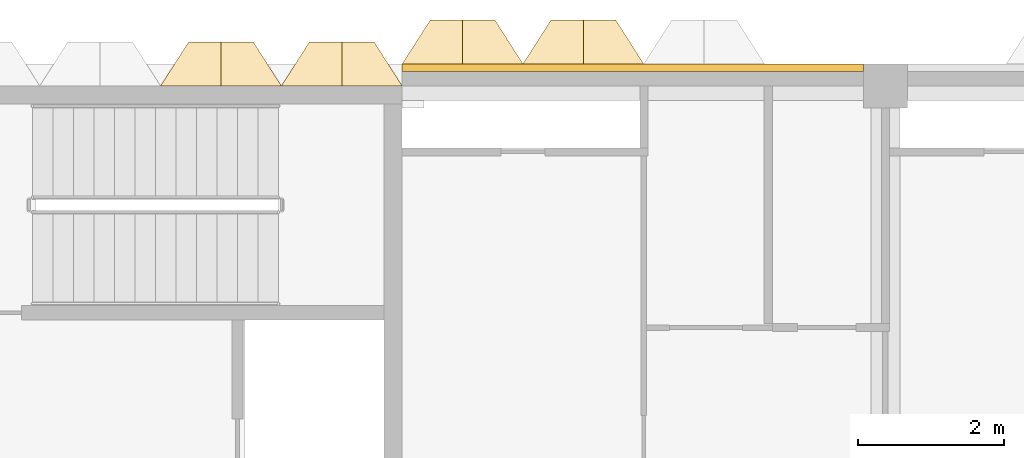
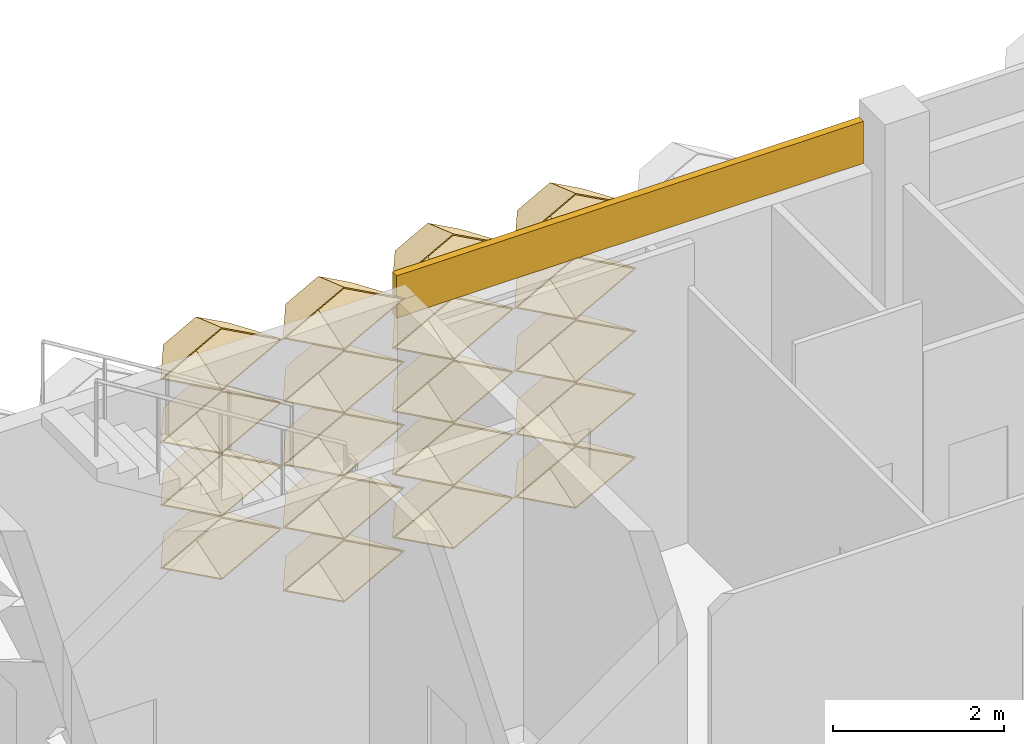
# One storey, part 92 of 102: 20 coverings.
"""IFC4 building model written with IfcOpenShell, lengths in metres."""

from ifc_helpers import new_model, entity, si_unit, direction, frame, frame_2d, origin, place, context, subcontext, project, spatial, rectangle, extrude, material, layer, layer_set, type_object, element, save


model = new_model("IFC4")

# Units and contexts
model_context = context("Model", 3, precision=1e-05, world=origin(), true_north=direction((0.0, 1.0)))
body_context = subcontext(model_context, "Body", "Model", "MODEL_VIEW")
ifc_project = project(units=[si_unit("LENGTHUNIT", "METRE"), si_unit("AREAUNIT", "SQUARE_METRE"), si_unit("VOLUMEUNIT", "CUBIC_METRE"), si_unit("PLANEANGLEUNIT", "RADIAN"), si_unit("MASSUNIT", "GRAM", prefix="KILO")], contexts=[model_context])

# Site, building, storey
site_placement = place(None, origin())
site = spatial("IfcSite", under=ifc_project, at=site_placement, CompositionType="ELEMENT")
building_placement = place(site_placement, origin())
building = spatial("IfcBuilding", under=site, at=building_placement, Name="Lantern Court Research Institute", CompositionType="ELEMENT")
storey_placement = place(building_placement, frame((0.0, 0.0, 9.89990234375)))
storey = spatial("IfcBuildingStorey", under=building, at=storey_placement, Name="L02", CompositionType="ELEMENT", Elevation=9.89990234375)

# Coverings
ifc_material_1 = material(Name="Aluminium composite panel with mineral wool insulation", Category="aluminium")
ifc_layer_1 = layer(ifc_material_1, 0.10009765625)
ifc_layer_set_1 = layer_set([ifc_layer_1], Name="Aluminium composite panel with mineral wool insulation")
covering_type_1 = type_object("IfcCoveringType", Name="Edge fascia panel 100 aluminium faced", PredefinedType="CLADDING", material=ifc_layer_set_1)
covering_1_placement = place(storey_placement, frame((6.60009765625, 99.25, 3.650146484375), z_axis=(0.0, 0.0, 1.0), x_axis=(1.0, 0.0, 0.0)))
element("IfcCovering", 1, at=covering_1_placement, inside=storey, type_object=covering_type_1, Name="Edge fascia V6N L02 01", PredefinedType="CLADDING", context=body_context, shape_type="SweptSolid", body=[
    extrude(rectangle(XDim=6.2998046875, YDim=0.10009765625, at=frame_2d((3.14990234375, 0.0))), origin(), (0.0, 0.0, 1.0), 0.599853515625),
])
ifc_material_2 = material(Name="Anodised aluminium", Category="aluminium")
ifc_layer_2 = layer(ifc_material_2, 0.01611328125)
ifc_layer_set_2 = layer_set([ifc_layer_2], Name="Anodised aluminium")
covering_type_2 = type_object("IfcCoveringType", Name="Fin cassette 1650 x 900 x 600 aluminium", PredefinedType="CLADDING", material=ifc_layer_set_2)
covering_2_placement = place(storey_placement, frame((5.77490234375, 99.0, 0.4501953125), z_axis=(0.0, 1.0, 0.0), x_axis=(-1.0, 0.0, 0.0)))
cartesian_point_1 = entity("IfcCartesianPoint", [0.824951171875, 0.0])
cartesian_point_2 = entity("IfcCartesianPoint", [0.79150390625, 0.0])
cartesian_point_3 = entity("IfcCartesianPoint", [0.44189453125, 0.0])
cartesian_point_4 = entity("IfcCartesianPoint", [0.43359375, 0.0])
element("IfcCovering", 2, at=covering_2_placement, inside=storey, type_object=covering_type_2, Name="Fin cassette V6N-L02 1.4", PredefinedType="CLADDING", context=body_context, shape_type="SweptSolid", body=[
    entity("IfcExtrudedAreaSolidTapered", entity("IfcArbitraryProfileDefWithVoids", "AREA", None, entity("IfcPolyline", [cartesian_point_1, entity("IfcCartesianPoint", [0.0, 0.449951171875]), entity("IfcCartesianPoint", [-0.824951171875, 0.0]), entity("IfcCartesianPoint", [0.0, -0.449951171875]), cartesian_point_1]), [entity("IfcPolyline", [cartesian_point_2, entity("IfcCartesianPoint", [0.0, 0.431884765625]), entity("IfcCartesianPoint", [-0.79150390625, 0.0]), entity("IfcCartesianPoint", [0.0, -0.431884765625]), cartesian_point_2])]), entity("IfcAxis2Placement3D", entity("IfcCartesianPoint", [0.0, 0.0, 0.0])), entity("IfcDirection", [0.0, 0.0, 1.0]), 0.60009765625, entity("IfcArbitraryProfileDefWithVoids", "AREA", None, entity("IfcPolyline", [cartesian_point_3, entity("IfcCartesianPoint", [0.0, 0.240966796875]), entity("IfcCartesianPoint", [-0.44189453125, 0.0]), entity("IfcCartesianPoint", [0.0, -0.240966796875]), cartesian_point_3]), [entity("IfcPolyline", [cartesian_point_4, entity("IfcCartesianPoint", [0.0, 0.236572265625]), entity("IfcCartesianPoint", [-0.43359375, 0.0]), entity("IfcCartesianPoint", [0.0, -0.236572265625]), cartesian_point_4])])),
])
covering_3_placement = place(storey_placement, frame((4.125, 99.0, 1.35009765625), z_axis=(0.0, 1.0, 0.0), x_axis=(-1.0, 0.0, 0.0)))
cartesian_point_5 = entity("IfcCartesianPoint", [0.824951171875, 0.0])
cartesian_point_6 = entity("IfcCartesianPoint", [0.79150390625, 0.0])
cartesian_point_7 = entity("IfcCartesianPoint", [0.44189453125, 0.0])
cartesian_point_8 = entity("IfcCartesianPoint", [0.43359375, 0.0])
element("IfcCovering", 3, at=covering_3_placement, inside=storey, type_object=covering_type_2, Name="Fin cassette V6N-L02 2.3", PredefinedType="CLADDING", context=body_context, shape_type="SweptSolid", body=[
    entity("IfcExtrudedAreaSolidTapered", entity("IfcArbitraryProfileDefWithVoids", "AREA", None, entity("IfcPolyline", [cartesian_point_5, entity("IfcCartesianPoint", [0.0, 0.449951171875]), entity("IfcCartesianPoint", [-0.824951171875, 0.0]), entity("IfcCartesianPoint", [0.0, -0.449951171875]), cartesian_point_5]), [entity("IfcPolyline", [cartesian_point_6, entity("IfcCartesianPoint", [0.0, 0.431884765625]), entity("IfcCartesianPoint", [-0.79150390625, 0.0]), entity("IfcCartesianPoint", [0.0, -0.431884765625]), cartesian_point_6])]), entity("IfcAxis2Placement3D", entity("IfcCartesianPoint", [0.0, 0.0, 0.0])), entity("IfcDirection", [0.0, 0.0, 1.0]), 0.60009765625, entity("IfcArbitraryProfileDefWithVoids", "AREA", None, entity("IfcPolyline", [cartesian_point_7, entity("IfcCartesianPoint", [0.0, 0.240966796875]), entity("IfcCartesianPoint", [-0.44189453125, 0.0]), entity("IfcCartesianPoint", [0.0, -0.240966796875]), cartesian_point_7]), [entity("IfcPolyline", [cartesian_point_8, entity("IfcCartesianPoint", [0.0, 0.236572265625]), entity("IfcCartesianPoint", [-0.43359375, 0.0]), entity("IfcCartesianPoint", [0.0, -0.236572265625]), cartesian_point_8])])),
])
covering_4_placement = place(storey_placement, frame((5.77490234375, 99.0, 1.35009765625), z_axis=(0.0, 1.0, 0.0), x_axis=(-1.0, 0.0, 0.0)))
cartesian_point_9 = entity("IfcCartesianPoint", [0.824951171875, 0.0])
cartesian_point_10 = entity("IfcCartesianPoint", [0.79150390625, 0.0])
cartesian_point_11 = entity("IfcCartesianPoint", [0.44189453125, 0.0])
cartesian_point_12 = entity("IfcCartesianPoint", [0.43359375, 0.0])
element("IfcCovering", 4, at=covering_4_placement, inside=storey, type_object=covering_type_2, Name="Fin cassette V6N-L02 2.4", PredefinedType="CLADDING", context=body_context, shape_type="SweptSolid", body=[
    entity("IfcExtrudedAreaSolidTapered", entity("IfcArbitraryProfileDefWithVoids", "AREA", None, entity("IfcPolyline", [cartesian_point_9, entity("IfcCartesianPoint", [0.0, 0.449951171875]), entity("IfcCartesianPoint", [-0.824951171875, 0.0]), entity("IfcCartesianPoint", [0.0, -0.449951171875]), cartesian_point_9]), [entity("IfcPolyline", [cartesian_point_10, entity("IfcCartesianPoint", [0.0, 0.431884765625]), entity("IfcCartesianPoint", [-0.79150390625, 0.0]), entity("IfcCartesianPoint", [0.0, -0.431884765625]), cartesian_point_10])]), entity("IfcAxis2Placement3D", entity("IfcCartesianPoint", [0.0, 0.0, 0.0])), entity("IfcDirection", [0.0, 0.0, 1.0]), 0.60009765625, entity("IfcArbitraryProfileDefWithVoids", "AREA", None, entity("IfcPolyline", [cartesian_point_11, entity("IfcCartesianPoint", [0.0, 0.240966796875]), entity("IfcCartesianPoint", [-0.44189453125, 0.0]), entity("IfcCartesianPoint", [0.0, -0.240966796875]), cartesian_point_11]), [entity("IfcPolyline", [cartesian_point_12, entity("IfcCartesianPoint", [0.0, 0.236572265625]), entity("IfcCartesianPoint", [-0.43359375, 0.0]), entity("IfcCartesianPoint", [0.0, -0.236572265625]), cartesian_point_12])])),
])
covering_5_placement = place(storey_placement, frame((4.125, 99.0, 2.25), z_axis=(0.0, 1.0, 0.0), x_axis=(-1.0, 0.0, 0.0)))
cartesian_point_13 = entity("IfcCartesianPoint", [0.824951171875, 0.0])
cartesian_point_14 = entity("IfcCartesianPoint", [0.79150390625, 0.0])
cartesian_point_15 = entity("IfcCartesianPoint", [0.44189453125, 0.0])
cartesian_point_16 = entity("IfcCartesianPoint", [0.43359375, 0.0])
element("IfcCovering", 5, at=covering_5_placement, inside=storey, type_object=covering_type_2, Name="Fin cassette V6N-L02 3.3", PredefinedType="CLADDING", context=body_context, shape_type="SweptSolid", body=[
    entity("IfcExtrudedAreaSolidTapered", entity("IfcArbitraryProfileDefWithVoids", "AREA", None, entity("IfcPolyline", [cartesian_point_13, entity("IfcCartesianPoint", [0.0, 0.449951171875]), entity("IfcCartesianPoint", [-0.824951171875, 0.0]), entity("IfcCartesianPoint", [0.0, -0.449951171875]), cartesian_point_13]), [entity("IfcPolyline", [cartesian_point_14, entity("IfcCartesianPoint", [0.0, 0.431884765625]), entity("IfcCartesianPoint", [-0.79150390625, 0.0]), entity("IfcCartesianPoint", [0.0, -0.431884765625]), cartesian_point_14])]), entity("IfcAxis2Placement3D", entity("IfcCartesianPoint", [0.0, 0.0, 0.0])), entity("IfcDirection", [0.0, 0.0, 1.0]), 0.60009765625, entity("IfcArbitraryProfileDefWithVoids", "AREA", None, entity("IfcPolyline", [cartesian_point_15, entity("IfcCartesianPoint", [0.0, 0.240966796875]), entity("IfcCartesianPoint", [-0.44189453125, 0.0]), entity("IfcCartesianPoint", [0.0, -0.240966796875]), cartesian_point_15]), [entity("IfcPolyline", [cartesian_point_16, entity("IfcCartesianPoint", [0.0, 0.236572265625]), entity("IfcCartesianPoint", [-0.43359375, 0.0]), entity("IfcCartesianPoint", [0.0, -0.236572265625]), cartesian_point_16])])),
])
covering_6_placement = place(storey_placement, frame((5.77490234375, 99.0, 2.25), z_axis=(0.0, 1.0, 0.0), x_axis=(-1.0, 0.0, 0.0)))
cartesian_point_17 = entity("IfcCartesianPoint", [0.824951171875, 0.0])
cartesian_point_18 = entity("IfcCartesianPoint", [0.79150390625, 0.0])
cartesian_point_19 = entity("IfcCartesianPoint", [0.44189453125, 0.0])
cartesian_point_20 = entity("IfcCartesianPoint", [0.43359375, 0.0])
element("IfcCovering", 6, at=covering_6_placement, inside=storey, type_object=covering_type_2, Name="Fin cassette V6N-L02 3.4", PredefinedType="CLADDING", context=body_context, shape_type="SweptSolid", body=[
    entity("IfcExtrudedAreaSolidTapered", entity("IfcArbitraryProfileDefWithVoids", "AREA", None, entity("IfcPolyline", [cartesian_point_17, entity("IfcCartesianPoint", [0.0, 0.449951171875]), entity("IfcCartesianPoint", [-0.824951171875, 0.0]), entity("IfcCartesianPoint", [0.0, -0.449951171875]), cartesian_point_17]), [entity("IfcPolyline", [cartesian_point_18, entity("IfcCartesianPoint", [0.0, 0.431884765625]), entity("IfcCartesianPoint", [-0.79150390625, 0.0]), entity("IfcCartesianPoint", [0.0, -0.431884765625]), cartesian_point_18])]), entity("IfcAxis2Placement3D", entity("IfcCartesianPoint", [0.0, 0.0, 0.0])), entity("IfcDirection", [0.0, 0.0, 1.0]), 0.60009765625, entity("IfcArbitraryProfileDefWithVoids", "AREA", None, entity("IfcPolyline", [cartesian_point_19, entity("IfcCartesianPoint", [0.0, 0.240966796875]), entity("IfcCartesianPoint", [-0.44189453125, 0.0]), entity("IfcCartesianPoint", [0.0, -0.240966796875]), cartesian_point_19]), [entity("IfcPolyline", [cartesian_point_20, entity("IfcCartesianPoint", [0.0, 0.236572265625]), entity("IfcCartesianPoint", [-0.43359375, 0.0]), entity("IfcCartesianPoint", [0.0, -0.236572265625]), cartesian_point_20])])),
])
covering_7_placement = place(storey_placement, frame((4.125, 99.0, 3.150146484375), z_axis=(0.0, 1.0, 0.0), x_axis=(-1.0, 0.0, 0.0)))
cartesian_point_21 = entity("IfcCartesianPoint", [0.824951171875, 0.0])
cartesian_point_22 = entity("IfcCartesianPoint", [0.79150390625, 0.0])
cartesian_point_23 = entity("IfcCartesianPoint", [0.44189453125, 0.0])
cartesian_point_24 = entity("IfcCartesianPoint", [0.43359375, 0.0])
element("IfcCovering", 7, at=covering_7_placement, inside=storey, type_object=covering_type_2, Name="Fin cassette V6N-L02 4.3", PredefinedType="CLADDING", context=body_context, shape_type="SweptSolid", body=[
    entity("IfcExtrudedAreaSolidTapered", entity("IfcArbitraryProfileDefWithVoids", "AREA", None, entity("IfcPolyline", [cartesian_point_21, entity("IfcCartesianPoint", [0.0, 0.449951171875]), entity("IfcCartesianPoint", [-0.824951171875, 0.0]), entity("IfcCartesianPoint", [0.0, -0.449951171875]), cartesian_point_21]), [entity("IfcPolyline", [cartesian_point_22, entity("IfcCartesianPoint", [0.0, 0.431884765625]), entity("IfcCartesianPoint", [-0.79150390625, 0.0]), entity("IfcCartesianPoint", [0.0, -0.431884765625]), cartesian_point_22])]), entity("IfcAxis2Placement3D", entity("IfcCartesianPoint", [0.0, 0.0, 0.0])), entity("IfcDirection", [0.0, 0.0, 1.0]), 0.60009765625, entity("IfcArbitraryProfileDefWithVoids", "AREA", None, entity("IfcPolyline", [cartesian_point_23, entity("IfcCartesianPoint", [0.0, 0.240966796875]), entity("IfcCartesianPoint", [-0.44189453125, 0.0]), entity("IfcCartesianPoint", [0.0, -0.240966796875]), cartesian_point_23]), [entity("IfcPolyline", [cartesian_point_24, entity("IfcCartesianPoint", [0.0, 0.236572265625]), entity("IfcCartesianPoint", [-0.43359375, 0.0]), entity("IfcCartesianPoint", [0.0, -0.236572265625]), cartesian_point_24])])),
])
covering_8_placement = place(storey_placement, frame((5.77490234375, 99.0, 3.150146484375), z_axis=(0.0, 1.0, 0.0), x_axis=(-1.0, 0.0, 0.0)))
cartesian_point_25 = entity("IfcCartesianPoint", [0.824951171875, 0.0])
cartesian_point_26 = entity("IfcCartesianPoint", [0.79150390625, 0.0])
cartesian_point_27 = entity("IfcCartesianPoint", [0.44189453125, 0.0])
cartesian_point_28 = entity("IfcCartesianPoint", [0.43359375, 0.0])
element("IfcCovering", 8, at=covering_8_placement, inside=storey, type_object=covering_type_2, Name="Fin cassette V6N-L02 4.4", PredefinedType="CLADDING", context=body_context, shape_type="SweptSolid", body=[
    entity("IfcExtrudedAreaSolidTapered", entity("IfcArbitraryProfileDefWithVoids", "AREA", None, entity("IfcPolyline", [cartesian_point_25, entity("IfcCartesianPoint", [0.0, 0.449951171875]), entity("IfcCartesianPoint", [-0.824951171875, 0.0]), entity("IfcCartesianPoint", [0.0, -0.449951171875]), cartesian_point_25]), [entity("IfcPolyline", [cartesian_point_26, entity("IfcCartesianPoint", [0.0, 0.431884765625]), entity("IfcCartesianPoint", [-0.79150390625, 0.0]), entity("IfcCartesianPoint", [0.0, -0.431884765625]), cartesian_point_26])]), entity("IfcAxis2Placement3D", entity("IfcCartesianPoint", [0.0, 0.0, 0.0])), entity("IfcDirection", [0.0, 0.0, 1.0]), 0.60009765625, entity("IfcArbitraryProfileDefWithVoids", "AREA", None, entity("IfcPolyline", [cartesian_point_27, entity("IfcCartesianPoint", [0.0, 0.240966796875]), entity("IfcCartesianPoint", [-0.44189453125, 0.0]), entity("IfcCartesianPoint", [0.0, -0.240966796875]), cartesian_point_27]), [entity("IfcPolyline", [cartesian_point_28, entity("IfcCartesianPoint", [0.0, 0.236572265625]), entity("IfcCartesianPoint", [-0.43359375, 0.0]), entity("IfcCartesianPoint", [0.0, -0.236572265625]), cartesian_point_28])])),
])
covering_9_placement = place(storey_placement, frame((4.125, 99.0, 4.050048828125), z_axis=(0.0, 1.0, 0.0), x_axis=(-1.0, 0.0, 0.0)))
cartesian_point_29 = entity("IfcCartesianPoint", [0.824951171875, 0.0])
cartesian_point_30 = entity("IfcCartesianPoint", [0.79150390625, 0.0])
cartesian_point_31 = entity("IfcCartesianPoint", [0.44189453125, 0.0])
cartesian_point_32 = entity("IfcCartesianPoint", [0.43359375, 0.0])
element("IfcCovering", 9, at=covering_9_placement, inside=storey, type_object=covering_type_2, Name="Fin cassette V6N-L02 5.3", PredefinedType="CLADDING", context=body_context, shape_type="SweptSolid", body=[
    entity("IfcExtrudedAreaSolidTapered", entity("IfcArbitraryProfileDefWithVoids", "AREA", None, entity("IfcPolyline", [cartesian_point_29, entity("IfcCartesianPoint", [0.0, 0.449951171875]), entity("IfcCartesianPoint", [-0.824951171875, 0.0]), entity("IfcCartesianPoint", [0.0, -0.449951171875]), cartesian_point_29]), [entity("IfcPolyline", [cartesian_point_30, entity("IfcCartesianPoint", [0.0, 0.431884765625]), entity("IfcCartesianPoint", [-0.79150390625, 0.0]), entity("IfcCartesianPoint", [0.0, -0.431884765625]), cartesian_point_30])]), entity("IfcAxis2Placement3D", entity("IfcCartesianPoint", [0.0, 0.0, 0.0])), entity("IfcDirection", [0.0, 0.0, 1.0]), 0.60009765625, entity("IfcArbitraryProfileDefWithVoids", "AREA", None, entity("IfcPolyline", [cartesian_point_31, entity("IfcCartesianPoint", [0.0, 0.240966796875]), entity("IfcCartesianPoint", [-0.44189453125, 0.0]), entity("IfcCartesianPoint", [0.0, -0.240966796875]), cartesian_point_31]), [entity("IfcPolyline", [cartesian_point_32, entity("IfcCartesianPoint", [0.0, 0.236572265625]), entity("IfcCartesianPoint", [-0.43359375, 0.0]), entity("IfcCartesianPoint", [0.0, -0.236572265625]), cartesian_point_32])])),
])
covering_10_placement = place(storey_placement, frame((5.77490234375, 99.0, 4.050048828125), z_axis=(0.0, 1.0, 0.0), x_axis=(-1.0, 0.0, 0.0)))
cartesian_point_33 = entity("IfcCartesianPoint", [0.824951171875, 0.0])
cartesian_point_34 = entity("IfcCartesianPoint", [0.79150390625, 0.0])
cartesian_point_35 = entity("IfcCartesianPoint", [0.44189453125, 0.0])
cartesian_point_36 = entity("IfcCartesianPoint", [0.43359375, 0.0])
element("IfcCovering", 10, at=covering_10_placement, inside=storey, type_object=covering_type_2, Name="Fin cassette V6N-L02 5.4", PredefinedType="CLADDING", context=body_context, shape_type="SweptSolid", body=[
    entity("IfcExtrudedAreaSolidTapered", entity("IfcArbitraryProfileDefWithVoids", "AREA", None, entity("IfcPolyline", [cartesian_point_33, entity("IfcCartesianPoint", [0.0, 0.449951171875]), entity("IfcCartesianPoint", [-0.824951171875, 0.0]), entity("IfcCartesianPoint", [0.0, -0.449951171875]), cartesian_point_33]), [entity("IfcPolyline", [cartesian_point_34, entity("IfcCartesianPoint", [0.0, 0.431884765625]), entity("IfcCartesianPoint", [-0.79150390625, 0.0]), entity("IfcCartesianPoint", [0.0, -0.431884765625]), cartesian_point_34])]), entity("IfcAxis2Placement3D", entity("IfcCartesianPoint", [0.0, 0.0, 0.0])), entity("IfcDirection", [0.0, 0.0, 1.0]), 0.60009765625, entity("IfcArbitraryProfileDefWithVoids", "AREA", None, entity("IfcPolyline", [cartesian_point_35, entity("IfcCartesianPoint", [0.0, 0.240966796875]), entity("IfcCartesianPoint", [-0.44189453125, 0.0]), entity("IfcCartesianPoint", [0.0, -0.240966796875]), cartesian_point_35]), [entity("IfcPolyline", [cartesian_point_36, entity("IfcCartesianPoint", [0.0, 0.236572265625]), entity("IfcCartesianPoint", [-0.43359375, 0.0]), entity("IfcCartesianPoint", [0.0, -0.236572265625]), cartesian_point_36])])),
])
covering_11_placement = place(storey_placement, frame((7.425048828125, 99.300048828125, 0.4501953125), z_axis=(0.0, 1.0, 0.0), x_axis=(-1.0, 0.0, 0.0)))
cartesian_point_37 = entity("IfcCartesianPoint", [0.824951171875, 0.0])
cartesian_point_38 = entity("IfcCartesianPoint", [0.79150390625, 0.0])
cartesian_point_39 = entity("IfcCartesianPoint", [0.44189453125, 0.0])
cartesian_point_40 = entity("IfcCartesianPoint", [0.43359375, 0.0])
element("IfcCovering", 11, at=covering_11_placement, inside=storey, type_object=covering_type_2, Name="Fin cassette V6N-L02 1.5", PredefinedType="CLADDING", context=body_context, shape_type="SweptSolid", body=[
    entity("IfcExtrudedAreaSolidTapered", entity("IfcArbitraryProfileDefWithVoids", "AREA", None, entity("IfcPolyline", [cartesian_point_37, entity("IfcCartesianPoint", [0.0, 0.449951171875]), entity("IfcCartesianPoint", [-0.824951171875, 0.0]), entity("IfcCartesianPoint", [0.0, -0.449951171875]), cartesian_point_37]), [entity("IfcPolyline", [cartesian_point_38, entity("IfcCartesianPoint", [0.0, 0.431884765625]), entity("IfcCartesianPoint", [-0.79150390625, 0.0]), entity("IfcCartesianPoint", [0.0, -0.431884765625]), cartesian_point_38])]), entity("IfcAxis2Placement3D", entity("IfcCartesianPoint", [0.0, 0.0, 0.0])), entity("IfcDirection", [0.0, 0.0, 1.0]), 0.60009765625, entity("IfcArbitraryProfileDefWithVoids", "AREA", None, entity("IfcPolyline", [cartesian_point_39, entity("IfcCartesianPoint", [0.0, 0.240966796875]), entity("IfcCartesianPoint", [-0.44189453125, 0.0]), entity("IfcCartesianPoint", [0.0, -0.240966796875]), cartesian_point_39]), [entity("IfcPolyline", [cartesian_point_40, entity("IfcCartesianPoint", [0.0, 0.236572265625]), entity("IfcCartesianPoint", [-0.43359375, 0.0]), entity("IfcCartesianPoint", [0.0, -0.236572265625]), cartesian_point_40])])),
])
covering_12_placement = place(storey_placement, frame((9.074951171875, 99.300048828125, 0.4501953125), z_axis=(0.0, 1.0, 0.0), x_axis=(-1.0, 0.0, 0.0)))
cartesian_point_41 = entity("IfcCartesianPoint", [0.824951171875, 0.0])
cartesian_point_42 = entity("IfcCartesianPoint", [0.79150390625, 0.0])
cartesian_point_43 = entity("IfcCartesianPoint", [0.44189453125, 0.0])
cartesian_point_44 = entity("IfcCartesianPoint", [0.43359375, 0.0])
element("IfcCovering", 12, at=covering_12_placement, inside=storey, type_object=covering_type_2, Name="Fin cassette V6N-L02 1.6", PredefinedType="CLADDING", context=body_context, shape_type="SweptSolid", body=[
    entity("IfcExtrudedAreaSolidTapered", entity("IfcArbitraryProfileDefWithVoids", "AREA", None, entity("IfcPolyline", [cartesian_point_41, entity("IfcCartesianPoint", [0.0, 0.449951171875]), entity("IfcCartesianPoint", [-0.824951171875, 0.0]), entity("IfcCartesianPoint", [0.0, -0.449951171875]), cartesian_point_41]), [entity("IfcPolyline", [cartesian_point_42, entity("IfcCartesianPoint", [0.0, 0.431884765625]), entity("IfcCartesianPoint", [-0.79150390625, 0.0]), entity("IfcCartesianPoint", [0.0, -0.431884765625]), cartesian_point_42])]), entity("IfcAxis2Placement3D", entity("IfcCartesianPoint", [0.0, 0.0, 0.0])), entity("IfcDirection", [0.0, 0.0, 1.0]), 0.60009765625, entity("IfcArbitraryProfileDefWithVoids", "AREA", None, entity("IfcPolyline", [cartesian_point_43, entity("IfcCartesianPoint", [0.0, 0.240966796875]), entity("IfcCartesianPoint", [-0.44189453125, 0.0]), entity("IfcCartesianPoint", [0.0, -0.240966796875]), cartesian_point_43]), [entity("IfcPolyline", [cartesian_point_44, entity("IfcCartesianPoint", [0.0, 0.236572265625]), entity("IfcCartesianPoint", [-0.43359375, 0.0]), entity("IfcCartesianPoint", [0.0, -0.236572265625]), cartesian_point_44])])),
])
covering_13_placement = place(storey_placement, frame((7.425048828125, 99.300048828125, 1.35009765625), z_axis=(0.0, 1.0, 0.0), x_axis=(-1.0, 0.0, 0.0)))
cartesian_point_45 = entity("IfcCartesianPoint", [0.824951171875, 0.0])
cartesian_point_46 = entity("IfcCartesianPoint", [0.79150390625, 0.0])
cartesian_point_47 = entity("IfcCartesianPoint", [0.44189453125, 0.0])
cartesian_point_48 = entity("IfcCartesianPoint", [0.43359375, 0.0])
element("IfcCovering", 13, at=covering_13_placement, inside=storey, type_object=covering_type_2, Name="Fin cassette V6N-L02 2.5", PredefinedType="CLADDING", context=body_context, shape_type="SweptSolid", body=[
    entity("IfcExtrudedAreaSolidTapered", entity("IfcArbitraryProfileDefWithVoids", "AREA", None, entity("IfcPolyline", [cartesian_point_45, entity("IfcCartesianPoint", [0.0, 0.449951171875]), entity("IfcCartesianPoint", [-0.824951171875, 0.0]), entity("IfcCartesianPoint", [0.0, -0.449951171875]), cartesian_point_45]), [entity("IfcPolyline", [cartesian_point_46, entity("IfcCartesianPoint", [0.0, 0.431884765625]), entity("IfcCartesianPoint", [-0.79150390625, 0.0]), entity("IfcCartesianPoint", [0.0, -0.431884765625]), cartesian_point_46])]), entity("IfcAxis2Placement3D", entity("IfcCartesianPoint", [0.0, 0.0, 0.0])), entity("IfcDirection", [0.0, 0.0, 1.0]), 0.60009765625, entity("IfcArbitraryProfileDefWithVoids", "AREA", None, entity("IfcPolyline", [cartesian_point_47, entity("IfcCartesianPoint", [0.0, 0.240966796875]), entity("IfcCartesianPoint", [-0.44189453125, 0.0]), entity("IfcCartesianPoint", [0.0, -0.240966796875]), cartesian_point_47]), [entity("IfcPolyline", [cartesian_point_48, entity("IfcCartesianPoint", [0.0, 0.236572265625]), entity("IfcCartesianPoint", [-0.43359375, 0.0]), entity("IfcCartesianPoint", [0.0, -0.236572265625]), cartesian_point_48])])),
])
covering_14_placement = place(storey_placement, frame((9.074951171875, 99.300048828125, 1.35009765625), z_axis=(0.0, 1.0, 0.0), x_axis=(-1.0, 0.0, 0.0)))
cartesian_point_49 = entity("IfcCartesianPoint", [0.824951171875, 0.0])
cartesian_point_50 = entity("IfcCartesianPoint", [0.79150390625, 0.0])
cartesian_point_51 = entity("IfcCartesianPoint", [0.44189453125, 0.0])
cartesian_point_52 = entity("IfcCartesianPoint", [0.43359375, 0.0])
element("IfcCovering", 14, at=covering_14_placement, inside=storey, type_object=covering_type_2, Name="Fin cassette V6N-L02 2.6", PredefinedType="CLADDING", context=body_context, shape_type="SweptSolid", body=[
    entity("IfcExtrudedAreaSolidTapered", entity("IfcArbitraryProfileDefWithVoids", "AREA", None, entity("IfcPolyline", [cartesian_point_49, entity("IfcCartesianPoint", [0.0, 0.449951171875]), entity("IfcCartesianPoint", [-0.824951171875, 0.0]), entity("IfcCartesianPoint", [0.0, -0.449951171875]), cartesian_point_49]), [entity("IfcPolyline", [cartesian_point_50, entity("IfcCartesianPoint", [0.0, 0.431884765625]), entity("IfcCartesianPoint", [-0.79150390625, 0.0]), entity("IfcCartesianPoint", [0.0, -0.431884765625]), cartesian_point_50])]), entity("IfcAxis2Placement3D", entity("IfcCartesianPoint", [0.0, 0.0, 0.0])), entity("IfcDirection", [0.0, 0.0, 1.0]), 0.60009765625, entity("IfcArbitraryProfileDefWithVoids", "AREA", None, entity("IfcPolyline", [cartesian_point_51, entity("IfcCartesianPoint", [0.0, 0.240966796875]), entity("IfcCartesianPoint", [-0.44189453125, 0.0]), entity("IfcCartesianPoint", [0.0, -0.240966796875]), cartesian_point_51]), [entity("IfcPolyline", [cartesian_point_52, entity("IfcCartesianPoint", [0.0, 0.236572265625]), entity("IfcCartesianPoint", [-0.43359375, 0.0]), entity("IfcCartesianPoint", [0.0, -0.236572265625]), cartesian_point_52])])),
])
covering_15_placement = place(storey_placement, frame((7.425048828125, 99.300048828125, 2.25), z_axis=(0.0, 1.0, 0.0), x_axis=(-1.0, 0.0, 0.0)))
cartesian_point_53 = entity("IfcCartesianPoint", [0.824951171875, 0.0])
cartesian_point_54 = entity("IfcCartesianPoint", [0.79150390625, 0.0])
cartesian_point_55 = entity("IfcCartesianPoint", [0.44189453125, 0.0])
cartesian_point_56 = entity("IfcCartesianPoint", [0.43359375, 0.0])
element("IfcCovering", 15, at=covering_15_placement, inside=storey, type_object=covering_type_2, Name="Fin cassette V6N-L02 3.5", PredefinedType="CLADDING", context=body_context, shape_type="SweptSolid", body=[
    entity("IfcExtrudedAreaSolidTapered", entity("IfcArbitraryProfileDefWithVoids", "AREA", None, entity("IfcPolyline", [cartesian_point_53, entity("IfcCartesianPoint", [0.0, 0.449951171875]), entity("IfcCartesianPoint", [-0.824951171875, 0.0]), entity("IfcCartesianPoint", [0.0, -0.449951171875]), cartesian_point_53]), [entity("IfcPolyline", [cartesian_point_54, entity("IfcCartesianPoint", [0.0, 0.431884765625]), entity("IfcCartesianPoint", [-0.79150390625, 0.0]), entity("IfcCartesianPoint", [0.0, -0.431884765625]), cartesian_point_54])]), entity("IfcAxis2Placement3D", entity("IfcCartesianPoint", [0.0, 0.0, 0.0])), entity("IfcDirection", [0.0, 0.0, 1.0]), 0.60009765625, entity("IfcArbitraryProfileDefWithVoids", "AREA", None, entity("IfcPolyline", [cartesian_point_55, entity("IfcCartesianPoint", [0.0, 0.240966796875]), entity("IfcCartesianPoint", [-0.44189453125, 0.0]), entity("IfcCartesianPoint", [0.0, -0.240966796875]), cartesian_point_55]), [entity("IfcPolyline", [cartesian_point_56, entity("IfcCartesianPoint", [0.0, 0.236572265625]), entity("IfcCartesianPoint", [-0.43359375, 0.0]), entity("IfcCartesianPoint", [0.0, -0.236572265625]), cartesian_point_56])])),
])
covering_16_placement = place(storey_placement, frame((9.074951171875, 99.300048828125, 2.25), z_axis=(0.0, 1.0, 0.0), x_axis=(-1.0, 0.0, 0.0)))
cartesian_point_57 = entity("IfcCartesianPoint", [0.824951171875, 0.0])
cartesian_point_58 = entity("IfcCartesianPoint", [0.79150390625, 0.0])
cartesian_point_59 = entity("IfcCartesianPoint", [0.44189453125, 0.0])
cartesian_point_60 = entity("IfcCartesianPoint", [0.43359375, 0.0])
element("IfcCovering", 16, at=covering_16_placement, inside=storey, type_object=covering_type_2, Name="Fin cassette V6N-L02 3.6", PredefinedType="CLADDING", context=body_context, shape_type="SweptSolid", body=[
    entity("IfcExtrudedAreaSolidTapered", entity("IfcArbitraryProfileDefWithVoids", "AREA", None, entity("IfcPolyline", [cartesian_point_57, entity("IfcCartesianPoint", [0.0, 0.449951171875]), entity("IfcCartesianPoint", [-0.824951171875, 0.0]), entity("IfcCartesianPoint", [0.0, -0.449951171875]), cartesian_point_57]), [entity("IfcPolyline", [cartesian_point_58, entity("IfcCartesianPoint", [0.0, 0.431884765625]), entity("IfcCartesianPoint", [-0.79150390625, 0.0]), entity("IfcCartesianPoint", [0.0, -0.431884765625]), cartesian_point_58])]), entity("IfcAxis2Placement3D", entity("IfcCartesianPoint", [0.0, 0.0, 0.0])), entity("IfcDirection", [0.0, 0.0, 1.0]), 0.60009765625, entity("IfcArbitraryProfileDefWithVoids", "AREA", None, entity("IfcPolyline", [cartesian_point_59, entity("IfcCartesianPoint", [0.0, 0.240966796875]), entity("IfcCartesianPoint", [-0.44189453125, 0.0]), entity("IfcCartesianPoint", [0.0, -0.240966796875]), cartesian_point_59]), [entity("IfcPolyline", [cartesian_point_60, entity("IfcCartesianPoint", [0.0, 0.236572265625]), entity("IfcCartesianPoint", [-0.43359375, 0.0]), entity("IfcCartesianPoint", [0.0, -0.236572265625]), cartesian_point_60])])),
])
covering_17_placement = place(storey_placement, frame((7.425048828125, 99.300048828125, 3.150146484375), z_axis=(0.0, 1.0, 0.0), x_axis=(-1.0, 0.0, 0.0)))
cartesian_point_61 = entity("IfcCartesianPoint", [0.824951171875, 0.0])
cartesian_point_62 = entity("IfcCartesianPoint", [0.79150390625, 0.0])
cartesian_point_63 = entity("IfcCartesianPoint", [0.44189453125, 0.0])
cartesian_point_64 = entity("IfcCartesianPoint", [0.43359375, 0.0])
element("IfcCovering", 17, at=covering_17_placement, inside=storey, type_object=covering_type_2, Name="Fin cassette V6N-L02 4.5", PredefinedType="CLADDING", context=body_context, shape_type="SweptSolid", body=[
    entity("IfcExtrudedAreaSolidTapered", entity("IfcArbitraryProfileDefWithVoids", "AREA", None, entity("IfcPolyline", [cartesian_point_61, entity("IfcCartesianPoint", [0.0, 0.449951171875]), entity("IfcCartesianPoint", [-0.824951171875, 0.0]), entity("IfcCartesianPoint", [0.0, -0.449951171875]), cartesian_point_61]), [entity("IfcPolyline", [cartesian_point_62, entity("IfcCartesianPoint", [0.0, 0.431884765625]), entity("IfcCartesianPoint", [-0.79150390625, 0.0]), entity("IfcCartesianPoint", [0.0, -0.431884765625]), cartesian_point_62])]), entity("IfcAxis2Placement3D", entity("IfcCartesianPoint", [0.0, 0.0, 0.0])), entity("IfcDirection", [0.0, 0.0, 1.0]), 0.60009765625, entity("IfcArbitraryProfileDefWithVoids", "AREA", None, entity("IfcPolyline", [cartesian_point_63, entity("IfcCartesianPoint", [0.0, 0.240966796875]), entity("IfcCartesianPoint", [-0.44189453125, 0.0]), entity("IfcCartesianPoint", [0.0, -0.240966796875]), cartesian_point_63]), [entity("IfcPolyline", [cartesian_point_64, entity("IfcCartesianPoint", [0.0, 0.236572265625]), entity("IfcCartesianPoint", [-0.43359375, 0.0]), entity("IfcCartesianPoint", [0.0, -0.236572265625]), cartesian_point_64])])),
])
covering_18_placement = place(storey_placement, frame((9.074951171875, 99.300048828125, 3.150146484375), z_axis=(0.0, 1.0, 0.0), x_axis=(-1.0, 0.0, 0.0)))
cartesian_point_65 = entity("IfcCartesianPoint", [0.824951171875, 0.0])
cartesian_point_66 = entity("IfcCartesianPoint", [0.79150390625, 0.0])
cartesian_point_67 = entity("IfcCartesianPoint", [0.44189453125, 0.0])
cartesian_point_68 = entity("IfcCartesianPoint", [0.43359375, 0.0])
element("IfcCovering", 18, at=covering_18_placement, inside=storey, type_object=covering_type_2, Name="Fin cassette V6N-L02 4.6", PredefinedType="CLADDING", context=body_context, shape_type="SweptSolid", body=[
    entity("IfcExtrudedAreaSolidTapered", entity("IfcArbitraryProfileDefWithVoids", "AREA", None, entity("IfcPolyline", [cartesian_point_65, entity("IfcCartesianPoint", [0.0, 0.449951171875]), entity("IfcCartesianPoint", [-0.824951171875, 0.0]), entity("IfcCartesianPoint", [0.0, -0.449951171875]), cartesian_point_65]), [entity("IfcPolyline", [cartesian_point_66, entity("IfcCartesianPoint", [0.0, 0.431884765625]), entity("IfcCartesianPoint", [-0.79150390625, 0.0]), entity("IfcCartesianPoint", [0.0, -0.431884765625]), cartesian_point_66])]), entity("IfcAxis2Placement3D", entity("IfcCartesianPoint", [0.0, 0.0, 0.0])), entity("IfcDirection", [0.0, 0.0, 1.0]), 0.60009765625, entity("IfcArbitraryProfileDefWithVoids", "AREA", None, entity("IfcPolyline", [cartesian_point_67, entity("IfcCartesianPoint", [0.0, 0.240966796875]), entity("IfcCartesianPoint", [-0.44189453125, 0.0]), entity("IfcCartesianPoint", [0.0, -0.240966796875]), cartesian_point_67]), [entity("IfcPolyline", [cartesian_point_68, entity("IfcCartesianPoint", [0.0, 0.236572265625]), entity("IfcCartesianPoint", [-0.43359375, 0.0]), entity("IfcCartesianPoint", [0.0, -0.236572265625]), cartesian_point_68])])),
])
covering_19_placement = place(storey_placement, frame((7.425048828125, 99.300048828125, 4.050048828125), z_axis=(0.0, 1.0, 0.0), x_axis=(-1.0, 0.0, 0.0)))
cartesian_point_69 = entity("IfcCartesianPoint", [0.824951171875, 0.0])
cartesian_point_70 = entity("IfcCartesianPoint", [0.79150390625, 0.0])
cartesian_point_71 = entity("IfcCartesianPoint", [0.44189453125, 0.0])
cartesian_point_72 = entity("IfcCartesianPoint", [0.43359375, 0.0])
element("IfcCovering", 19, at=covering_19_placement, inside=storey, type_object=covering_type_2, Name="Fin cassette V6N-L02 5.5", PredefinedType="CLADDING", context=body_context, shape_type="SweptSolid", body=[
    entity("IfcExtrudedAreaSolidTapered", entity("IfcArbitraryProfileDefWithVoids", "AREA", None, entity("IfcPolyline", [cartesian_point_69, entity("IfcCartesianPoint", [0.0, 0.449951171875]), entity("IfcCartesianPoint", [-0.824951171875, 0.0]), entity("IfcCartesianPoint", [0.0, -0.449951171875]), cartesian_point_69]), [entity("IfcPolyline", [cartesian_point_70, entity("IfcCartesianPoint", [0.0, 0.431884765625]), entity("IfcCartesianPoint", [-0.79150390625, 0.0]), entity("IfcCartesianPoint", [0.0, -0.431884765625]), cartesian_point_70])]), entity("IfcAxis2Placement3D", entity("IfcCartesianPoint", [0.0, 0.0, 0.0])), entity("IfcDirection", [0.0, 0.0, 1.0]), 0.60009765625, entity("IfcArbitraryProfileDefWithVoids", "AREA", None, entity("IfcPolyline", [cartesian_point_71, entity("IfcCartesianPoint", [0.0, 0.240966796875]), entity("IfcCartesianPoint", [-0.44189453125, 0.0]), entity("IfcCartesianPoint", [0.0, -0.240966796875]), cartesian_point_71]), [entity("IfcPolyline", [cartesian_point_72, entity("IfcCartesianPoint", [0.0, 0.236572265625]), entity("IfcCartesianPoint", [-0.43359375, 0.0]), entity("IfcCartesianPoint", [0.0, -0.236572265625]), cartesian_point_72])])),
])
covering_20_placement = place(storey_placement, frame((9.074951171875, 99.300048828125, 4.050048828125), z_axis=(0.0, 1.0, 0.0), x_axis=(-1.0, 0.0, 0.0)))
cartesian_point_73 = entity("IfcCartesianPoint", [0.824951171875, 0.0])
cartesian_point_74 = entity("IfcCartesianPoint", [0.79150390625, 0.0])
cartesian_point_75 = entity("IfcCartesianPoint", [0.44189453125, 0.0])
cartesian_point_76 = entity("IfcCartesianPoint", [0.43359375, 0.0])
element("IfcCovering", 20, at=covering_20_placement, inside=storey, type_object=covering_type_2, Name="Fin cassette V6N-L02 5.6", PredefinedType="CLADDING", context=body_context, shape_type="SweptSolid", body=[
    entity("IfcExtrudedAreaSolidTapered", entity("IfcArbitraryProfileDefWithVoids", "AREA", None, entity("IfcPolyline", [cartesian_point_73, entity("IfcCartesianPoint", [0.0, 0.449951171875]), entity("IfcCartesianPoint", [-0.824951171875, 0.0]), entity("IfcCartesianPoint", [0.0, -0.449951171875]), cartesian_point_73]), [entity("IfcPolyline", [cartesian_point_74, entity("IfcCartesianPoint", [0.0, 0.431884765625]), entity("IfcCartesianPoint", [-0.79150390625, 0.0]), entity("IfcCartesianPoint", [0.0, -0.431884765625]), cartesian_point_74])]), entity("IfcAxis2Placement3D", entity("IfcCartesianPoint", [0.0, 0.0, 0.0])), entity("IfcDirection", [0.0, 0.0, 1.0]), 0.60009765625, entity("IfcArbitraryProfileDefWithVoids", "AREA", None, entity("IfcPolyline", [cartesian_point_75, entity("IfcCartesianPoint", [0.0, 0.240966796875]), entity("IfcCartesianPoint", [-0.44189453125, 0.0]), entity("IfcCartesianPoint", [0.0, -0.240966796875]), cartesian_point_75]), [entity("IfcPolyline", [cartesian_point_76, entity("IfcCartesianPoint", [0.0, 0.236572265625]), entity("IfcCartesianPoint", [-0.43359375, 0.0]), entity("IfcCartesianPoint", [0.0, -0.236572265625]), cartesian_point_76])])),
])

save(model, "model.ifc")
